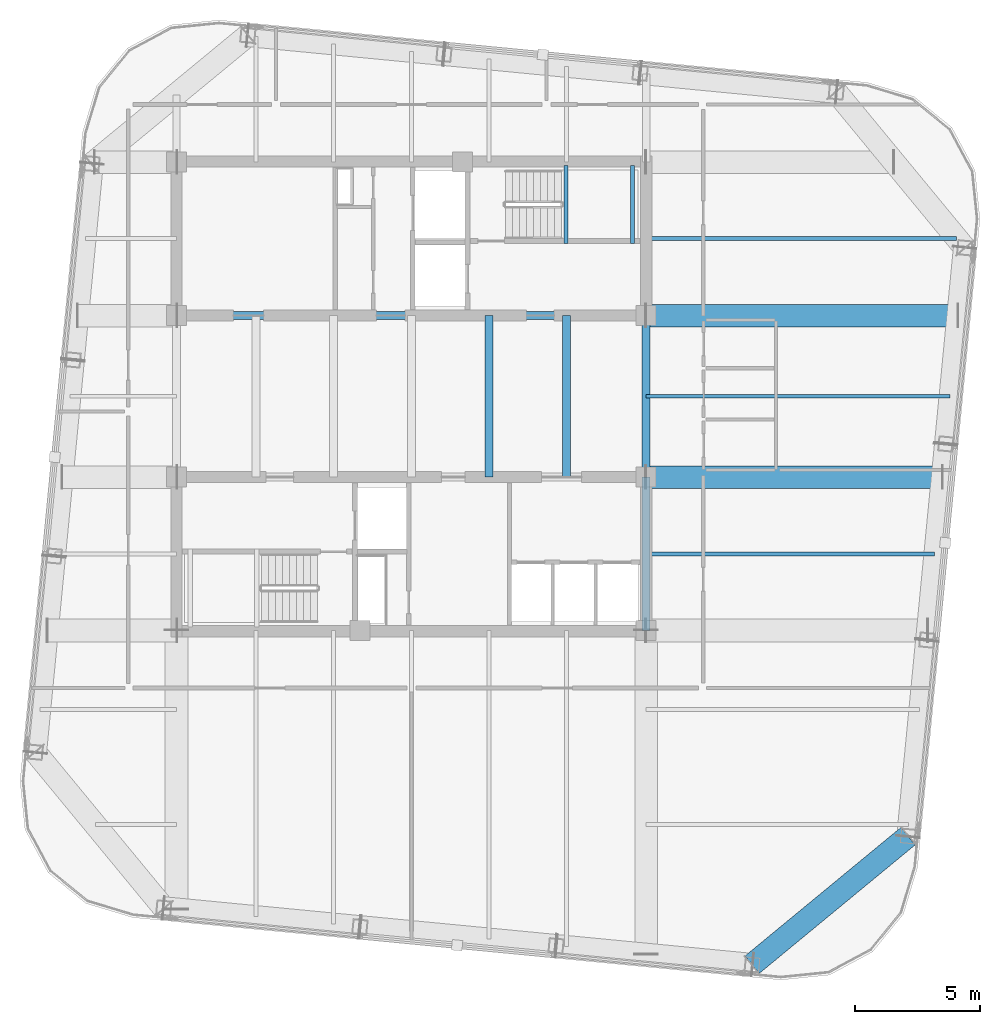
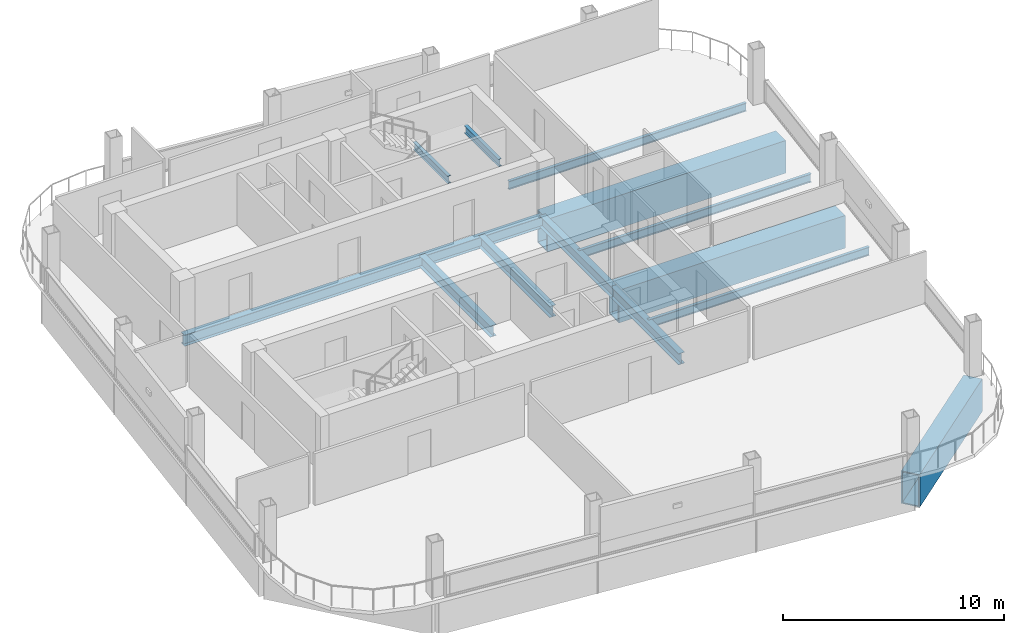
# One storey, part 9 of 21: 13 beams.
"""IFC4 building model written with IfcOpenShell, lengths in metres."""

from ifc_helpers import new_model, si_unit, direction, frame, origin, origin_2d, place, context, subcontext, project, spatial, hollow_rectangle, i_section, extrude, material, material_profile, profile_set, type_object, element, save


model = new_model("IFC4")

# Units and contexts
model_context = context("Model", 3, precision=1e-05, world=origin(), true_north=direction((0.0, 1.0)))
body_context = subcontext(model_context, "Body", "Model", "MODEL_VIEW")
ifc_project = project(units=[si_unit("LENGTHUNIT", "METRE"), si_unit("AREAUNIT", "SQUARE_METRE"), si_unit("VOLUMEUNIT", "CUBIC_METRE"), si_unit("PLANEANGLEUNIT", "RADIAN"), si_unit("MASSUNIT", "GRAM", prefix="KILO")], contexts=[model_context])

# Site, building, storey
site_placement = place(None, origin())
site = spatial("IfcSite", under=ifc_project, at=site_placement, CompositionType="ELEMENT")
building_placement = place(site_placement, origin())
building = spatial("IfcBuilding", under=site, at=building_placement, Name="Qhalaya Broadcast Tower", CompositionType="ELEMENT")
storey_placement = place(building_placement, frame((0.0, 0.0, 270.300048828125)))
storey = spatial("IfcBuildingStorey", under=building, at=storey_placement, Name="L80", CompositionType="ELEMENT", Elevation=270.300048828125)

# Beams
ifc_material_1 = material(Name="Structural Steel ASTM A572 Grade 50", Category="steel")
ifc_material_profile_1 = material_profile(ifc_material_1, hollow_rectangle(XDim=0.89990234375, YDim=1.800048828125, WallThickness=0.06005859375, at=origin_2d()), Name="BOX 900x1800x60")
ifc_profile_set_1 = profile_set([ifc_material_profile_1], Name="Structural Steel ASTM A572 Grade 50")
beam_type_1 = type_object("IfcBeamType", Name="Block Cantilever Transfer Box Girder TG1", PredefinedType="USERDEFINED", material=ifc_profile_set_1)
beam_1_placement = place(storey_placement, frame((13.6083984375, -22.09033203125, -1.090087890625), z_axis=(0.771631160126, 0.636070241972, 0.0), x_axis=(-0.636070241972, 0.771631160126, 0.0)))
element("IfcBeam", 1, at=beam_1_placement, inside=storey, type_object=beam_type_1, Name="L80 TG1 L80-SPR-04", ObjectType="GIRDER", PredefinedType="USERDEFINED", context=body_context, shape_type="SweptSolid", body=[
    extrude(hollow_rectangle(XDim=0.89990234375, YDim=1.800048828125, WallThickness=0.06005859375, at=origin_2d()), origin(), (0.0, 0.0, 1.0), 8.06103515625),
])
beam_2_placement = place(storey_placement, frame((9.375, -2.625, -1.090087890625), z_axis=(1.0, 0.0, 0.0), x_axis=(0.0, 1.0, 0.0)))
element("IfcBeam", 2, at=beam_2_placement, inside=storey, type_object=beam_type_1, Name="L80 TG1 L80-PGYE2-1", ObjectType="GIRDER", PredefinedType="USERDEFINED", context=body_context, shape_type="SweptSolid", body=[
    extrude(hollow_rectangle(XDim=0.89990234375, YDim=1.800048828125, WallThickness=0.06005859375, at=origin_2d()), origin(), (0.0, 0.0, 1.0), 11.81396484375),
])
beam_3_placement = place(storey_placement, frame((9.375, 3.824951171875, -1.090087890625), z_axis=(1.0, 0.0, 0.0), x_axis=(0.0, 1.0, 0.0)))
element("IfcBeam", 3, at=beam_3_placement, inside=storey, type_object=beam_type_1, Name="L80 TG1 L80-PGYE3-1", ObjectType="GIRDER", PredefinedType="USERDEFINED", context=body_context, shape_type="SweptSolid", body=[
    extrude(hollow_rectangle(XDim=0.89990234375, YDim=1.800048828125, WallThickness=0.06005859375, at=origin_2d()), origin(), (0.0, 0.0, 1.0), 12.43505859375),
])
ifc_material_2 = material(Name="Structural Steel ASTM A992 Grade 50", Category="steel")
ifc_material_profile_2 = material_profile(ifc_material_2, i_section(OverallWidth=0.154052734375, OverallDepth=0.458984375, WebThickness=0.009033203125, FlangeThickness=0.015380859375, at=origin_2d()), Name="W18X46")
ifc_profile_set_2 = profile_set([ifc_material_profile_2], Name="Structural Steel ASTM A992 Grade 50")
beam_type_2 = type_object("IfcBeamType", Name="Composite Floor Joist J04", PredefinedType="JOIST", material=ifc_profile_set_2)
beam_4_placement = place(storey_placement, frame((9.375, -5.699951171875, -0.41943359375), z_axis=(1.0, 0.0, 0.0), x_axis=(0.0, 1.0, 0.0)))
element("IfcBeam", 4, at=beam_4_placement, inside=storey, type_object=beam_type_2, Name="L80 J04 L80-JWE3E-1", PredefinedType="JOIST", context=body_context, shape_type="SweptSolid", body=[
    extrude(i_section(OverallWidth=0.154052734375, OverallDepth=0.458984375, WebThickness=0.009033203125, FlangeThickness=0.015380859375, at=origin_2d()), origin(), (0.0, 0.0, 1.0), 11.517822265625),
])
beam_5_placement = place(storey_placement, frame((9.375, 0.60009765625, -0.41943359375), z_axis=(1.0, 0.0, 0.0), x_axis=(0.0, 1.0, 0.0)))
element("IfcBeam", 5, at=beam_5_placement, inside=storey, type_object=beam_type_2, Name="L80 J04 L80-JWE4E-1", PredefinedType="JOIST", context=body_context, shape_type="SweptSolid", body=[
    extrude(i_section(OverallWidth=0.154052734375, OverallDepth=0.458984375, WebThickness=0.009033203125, FlangeThickness=0.015380859375, at=origin_2d()), origin(), (0.0, 0.0, 1.0), 12.12451171875),
])
beam_6_placement = place(storey_placement, frame((9.375, 6.89990234375, -0.41943359375), z_axis=(1.0, 0.0, 0.0), x_axis=(0.0, 1.0, 0.0)))
element("IfcBeam", 6, at=beam_6_placement, inside=storey, type_object=beam_type_2, Name="L80 J04 L80-JWE5E-1", PredefinedType="JOIST", context=body_context, shape_type="SweptSolid", body=[
    extrude(i_section(OverallWidth=0.154052734375, OverallDepth=0.458984375, WebThickness=0.009033203125, FlangeThickness=0.015380859375, at=origin_2d()), origin(), (0.0, 0.0, 1.0), 12.38330078125),
])
ifc_material_profile_3 = material_profile(ifc_material_2, i_section(OverallWidth=0.323974609375, OverallDepth=0.612060546875, WebThickness=0.0126953125, FlangeThickness=0.01904296875, at=origin_2d()), Name="W24X104")
ifc_profile_set_3 = profile_set([ifc_material_profile_3], Name="Structural Steel ASTM A992 Grade 50")
beam_type_3 = type_object("IfcBeamType", Name="Core Frame Tie Beam B04", PredefinedType="BEAM", material=ifc_profile_set_3)
beam_7_placement = place(storey_placement, frame((-9.375, 3.824951171875, -0.49609375), z_axis=(1.0, 0.0, 0.0), x_axis=(0.0, 1.0, 0.0)))
element("IfcBeam", 7, at=beam_7_placement, inside=storey, type_object=beam_type_3, Name="L80 B04 L80-CCN1", PredefinedType="BEAM", context=body_context, shape_type="SweptSolid", body=[
    extrude(i_section(OverallWidth=0.323974609375, OverallDepth=0.612060546875, WebThickness=0.0126953125, FlangeThickness=0.01904296875, at=origin_2d()), origin(), (0.0, 0.0, 1.0), 18.75),
])
beam_8_placement = place(storey_placement, frame((9.375, -8.75, -0.49609375), z_axis=(0.0, 1.0, 0.0), x_axis=(-1.0, 0.0, 0.0)))
element("IfcBeam", 8, at=beam_8_placement, inside=storey, type_object=beam_type_3, Name="L80 B04 L80-CCS2", PredefinedType="BEAM", context=body_context, shape_type="SweptSolid", body=[
    extrude(i_section(OverallWidth=0.323974609375, OverallDepth=0.612060546875, WebThickness=0.0126953125, FlangeThickness=0.01904296875, at=origin_2d()), origin(), (0.0, 0.0, 1.0), 6.125),
])
for number, where, z_axis, x_axis, name in (
    (9, (9.375, -2.625, -0.49609375), (0.0, 1.0, 0.0), (-1.0, 0.0, 0.0), "L80 B04 L80-CCE"),
    (10, (3.10009765625, -2.625, -0.49609375), (0.0, 1.0, 0.0), (-1.0, 0.0, 0.0), "L80 B04 L80-JC4-1"),
    (11, (6.199951171875, -2.625, -0.49609375), (0.0, 1.0, 0.0), (-1.0, 0.0, 0.0), "L80 B04 L80-JC5-1"),
):
    element("IfcBeam", number, at=place(storey_placement, frame(where, z_axis=z_axis, x_axis=x_axis)), inside=storey, type_object=beam_type_3, Name=name, PredefinedType="BEAM", context=body_context, shape_type="SweptSolid", body=[
        extrude(i_section(OverallWidth=0.323974609375, OverallDepth=0.612060546875, WebThickness=0.0126953125, FlangeThickness=0.01904296875, at=origin_2d()), origin(), (0.0, 0.0, 1.0), 6.449951171875),
    ])
ifc_material_profile_4 = material_profile(ifc_material_2, i_section(OverallWidth=0.177978515625, OverallDepth=0.406005859375, WebThickness=0.0078125, FlangeThickness=0.0126953125, at=origin_2d()), Name="W16X40")
ifc_profile_set_4 = profile_set([ifc_material_profile_4], Name="Structural Steel ASTM A992 Grade 50")
beam_type_4 = type_object("IfcBeamType", Name="Upper Perimeter Spandrel Beam SP2", PredefinedType="SPANDREL", material=ifc_profile_set_4)
for number, where, z_axis, x_axis, name in (
    (12, (6.175048828125, 6.699951171875, 1.1220703125), (0.0, 1.0, 0.0), (-1.0, 0.0, 0.0), "L80 ST-1 Half-Landing Bearer Beam 1"),
    (13, (8.830078125, 6.699951171875, 1.1220703125), (0.0, 1.0, 0.0), (-1.0, 0.0, 0.0), "L80 ST-1 Half-Landing Bearer Beam 2"),
):
    element("IfcBeam", number, at=place(storey_placement, frame(where, z_axis=z_axis, x_axis=x_axis)), inside=storey, type_object=beam_type_4, Name=name, PredefinedType="SPANDREL", context=body_context, shape_type="SweptSolid", body=[
        extrude(i_section(OverallWidth=0.177978515625, OverallDepth=0.406005859375, WebThickness=0.0078125, FlangeThickness=0.0126953125, at=origin_2d()), origin(), (0.0, 0.0, 1.0), 3.1201171875),
    ])

save(model, "model.ifc")
